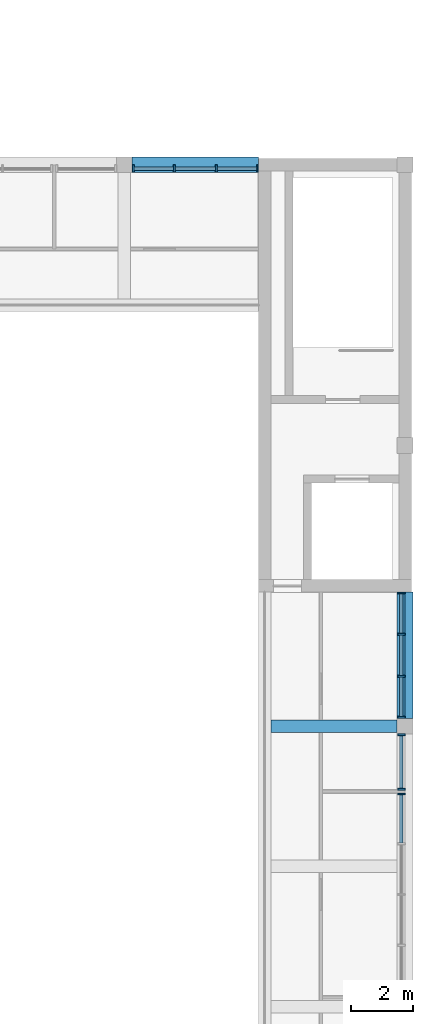
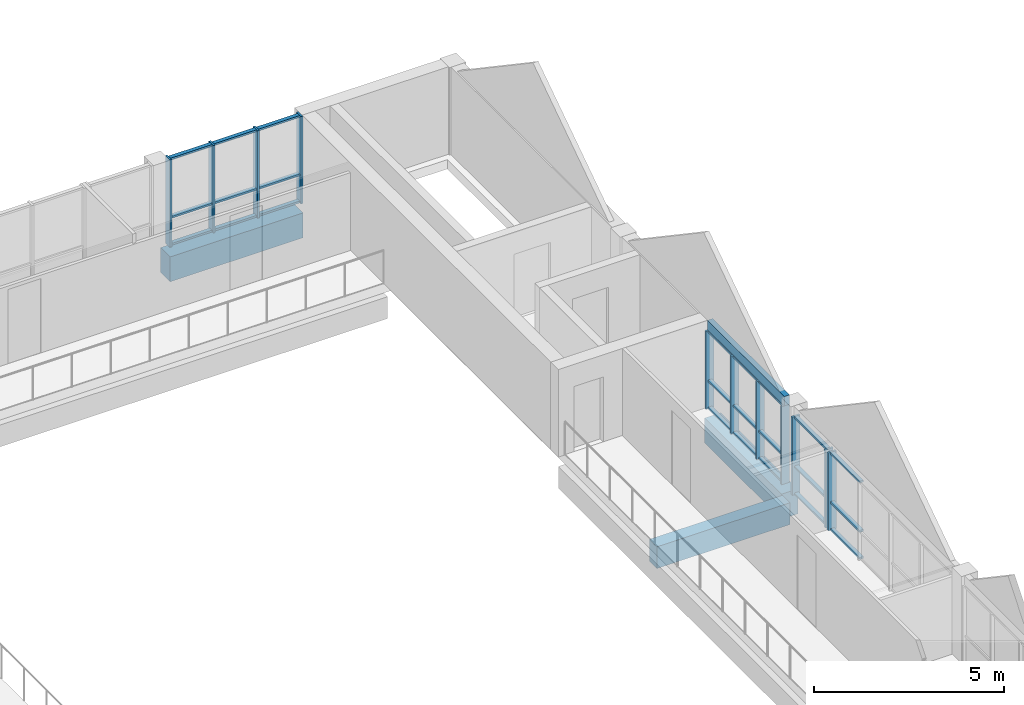
# One storey, part 8 of 50: 35 members, 4 beams, 4 elements without a shape of their own.
"""IFC4 building model written with IfcOpenShell, lengths in metres."""

from ifc_helpers import new_model, si_unit, direction, frame, origin, origin_2d, place, context, subcontext, project, spatial, rectangle, extrude, material, material_profile, profile_set, type_object, element, aggregate, save


model = new_model("IFC4")

# Units and contexts
model_context = context("Model", 3, precision=1e-05, world=origin(), true_north=direction((0.0, 1.0)))
body_context = subcontext(model_context, "Body", "Model", "MODEL_VIEW")
ifc_project = project(units=[si_unit("LENGTHUNIT", "METRE"), si_unit("AREAUNIT", "SQUARE_METRE"), si_unit("VOLUMEUNIT", "CUBIC_METRE"), si_unit("PLANEANGLEUNIT", "RADIAN"), si_unit("MASSUNIT", "GRAM", prefix="KILO")], contexts=[model_context])

# Site, building, storey
site_placement = place(None, origin())
site = spatial("IfcSite", under=ifc_project, at=site_placement, CompositionType="ELEMENT")
building_placement = place(site_placement, origin())
building = spatial("IfcBuilding", under=site, at=building_placement, Name="Merrow Basin Faculty of Sciences", CompositionType="ELEMENT")
storey_placement = place(building_placement, frame((0.0, 0.0, 18.0)))
storey = spatial("IfcBuildingStorey", under=building, at=storey_placement, Name="L04", CompositionType="ELEMENT", Elevation=18.0)

# Curtain wall, members
ifc_material_1 = material(Name="Aluminium alloy 6063", Category="aluminium")
curtain_wall_type = type_object("IfcCurtainWallType", Name="Atrium unitised curtain wall 240", PredefinedType="NOTDEFINED", material=ifc_material_1)
curtain_wall_1_placement = place(storey_placement, origin())
curtain_wall_1 = element("IfcCurtainWall", 1, at=curtain_wall_1_placement, inside=storey, type_object=curtain_wall_type, Name="N curtain wall L04 4", PredefinedType="NOTDEFINED")
ifc_material_2 = material(Name="Aluminium alloy 6063", Category="aluminium")
ifc_material_profile_1 = material_profile(ifc_material_2, rectangle(XDim=0.239990234375, YDim=0.06005859375, at=origin_2d()))
ifc_profile_set_1 = profile_set([ifc_material_profile_1], Name="Aluminium alloy 6063")
member_type_1 = type_object("IfcMemberType", Name="Aluminium mullion 60x240", PredefinedType="MULLION", material=ifc_profile_set_1)
member_1_placement = place(storey_placement, frame((63.280029296875, 35.8798828125, 0.0), z_axis=(0.0, 0.0, 1.0), x_axis=(0.0, 1.0, 0.0)))
member_1 = element("IfcMember", 2, at=member_1_placement, type_object=member_type_1, Name="CW5 mullion 1", PredefinedType="MULLION", context=body_context, shape_type="SweptSolid", body=[
    extrude(rectangle(XDim=0.239990234375, YDim=0.06005859375, at=origin_2d()), origin(), (0.0, 0.0, 1.0), 2.81298828125),
])
member_2_placement = place(storey_placement, frame((64.60009765625, 35.8798828125, 0.0), z_axis=(0.0, 0.0, 1.0), x_axis=(0.0, 1.0, 0.0)))
member_2 = element("IfcMember", 3, at=member_2_placement, type_object=member_type_1, Name="CW5 mullion 2", PredefinedType="MULLION", context=body_context, shape_type="SweptSolid", body=[
    extrude(rectangle(XDim=0.239990234375, YDim=0.06005859375, at=origin_2d()), origin(), (0.0, 0.0, 1.0), 2.81298828125),
])
member_3_placement = place(storey_placement, frame((65.949951171875, 35.8798828125, 0.0), z_axis=(0.0, 0.0, 1.0), x_axis=(0.0, 1.0, 0.0)))
member_3 = element("IfcMember", 4, at=member_3_placement, type_object=member_type_1, Name="CW5 mullion 3", PredefinedType="MULLION", context=body_context, shape_type="SweptSolid", body=[
    extrude(rectangle(XDim=0.239990234375, YDim=0.06005859375, at=origin_2d()), origin(), (0.0, 0.0, 1.0), 2.81298828125),
])
member_4_placement = place(storey_placement, frame((67.27001953125, 35.8798828125, 0.0), z_axis=(0.0, 0.0, 1.0), x_axis=(0.0, 1.0, 0.0)))
member_4 = element("IfcMember", 5, at=member_4_placement, type_object=member_type_1, Name="CW5 mullion 4", PredefinedType="MULLION", context=body_context, shape_type="SweptSolid", body=[
    extrude(rectangle(XDim=0.239990234375, YDim=0.06005859375, at=origin_2d()), origin(), (0.0, 0.0, 1.0), 2.81298828125),
])

# Curtain wall, member
curtain_wall_2_placement = place(storey_placement, origin())
curtain_wall_2 = element("IfcCurtainWall", 6, at=curtain_wall_2_placement, inside=storey, type_object=curtain_wall_type, Name="E curtain wall L04 3", PredefinedType="NOTDEFINED")
member_5_placement = place(storey_placement, frame((71.8798828125, 15.820068359375, 0.0), z_axis=(0.0, 0.0, 1.0), x_axis=(-1.0, 0.0, 0.0)))
member_5 = element("IfcMember", 7, at=member_5_placement, type_object=member_type_1, Name="CW5 mullion 5", PredefinedType="MULLION", context=body_context, shape_type="SweptSolid", body=[
    extrude(rectangle(XDim=0.239990234375, YDim=0.06005859375, at=origin_2d()), origin(), (0.0, 0.0, 1.0), 2.512939453125),
])

# Curtain wall, members
curtain_wall_3_placement = place(storey_placement, origin())
curtain_wall_3 = element("IfcCurtainWall", 8, at=curtain_wall_3_placement, inside=storey, type_object=curtain_wall_type, Name="E curtain wall L04 4", PredefinedType="NOTDEFINED")
member_6_placement = place(storey_placement, frame((71.8798828125, 15.97998046875, 0.0), z_axis=(0.0, 0.0, 1.0), x_axis=(-1.0, 0.0, 0.0)))
member_6 = element("IfcMember", 9, at=member_6_placement, type_object=member_type_1, Name="CW5 mullion 1", PredefinedType="MULLION", context=body_context, shape_type="SweptSolid", body=[
    extrude(rectangle(XDim=0.239990234375, YDim=0.06005859375, at=origin_2d()), origin(), (0.0, 0.0, 1.0), 2.512939453125),
])
member_7_placement = place(storey_placement, frame((71.8798828125, 17.719970703125, 0.0), z_axis=(0.0, 0.0, 1.0), x_axis=(-1.0, 0.0, 0.0)))
member_7 = element("IfcMember", 10, at=member_7_placement, type_object=member_type_1, Name="CW5 mullion 2", PredefinedType="MULLION", context=body_context, shape_type="SweptSolid", body=[
    extrude(rectangle(XDim=0.239990234375, YDim=0.06005859375, at=origin_2d()), origin(), (0.0, 0.0, 1.0), 2.512939453125),
])

curtain_wall_4_placement = place(storey_placement, origin())
curtain_wall_4 = element("IfcCurtainWall", 11, at=curtain_wall_4_placement, inside=storey, type_object=curtain_wall_type, Name="E curtain wall L04 5", PredefinedType="NOTDEFINED")
member_8_placement = place(storey_placement, frame((71.8798828125, 18.280029296875, 0.0), z_axis=(0.0, 0.0, 1.0), x_axis=(-1.0, 0.0, 0.0)))
member_8 = element("IfcMember", 12, at=member_8_placement, type_object=member_type_1, Name="CW5 mullion 1", PredefinedType="MULLION", context=body_context, shape_type="SweptSolid", body=[
    extrude(rectangle(XDim=0.239990234375, YDim=0.06005859375, at=origin_2d()), origin(), (0.0, 0.0, 1.0), 2.512939453125),
])
member_9_placement = place(storey_placement, frame((71.8798828125, 19.60009765625, 0.0), z_axis=(0.0, 0.0, 1.0), x_axis=(-1.0, 0.0, 0.0)))
member_9 = element("IfcMember", 13, at=member_9_placement, type_object=member_type_1, Name="CW5 mullion 2", PredefinedType="MULLION", context=body_context, shape_type="SweptSolid", body=[
    extrude(rectangle(XDim=0.239990234375, YDim=0.06005859375, at=origin_2d()), origin(), (0.0, 0.0, 1.0), 2.512939453125),
])
member_10_placement = place(storey_placement, frame((71.8798828125, 20.949951171875, 0.0), z_axis=(0.0, 0.0, 1.0), x_axis=(-1.0, 0.0, 0.0)))
member_10 = element("IfcMember", 14, at=member_10_placement, type_object=member_type_1, Name="CW5 mullion 3", PredefinedType="MULLION", context=body_context, shape_type="SweptSolid", body=[
    extrude(rectangle(XDim=0.239990234375, YDim=0.06005859375, at=origin_2d()), origin(), (0.0, 0.0, 1.0), 2.512939453125),
])
member_11_placement = place(storey_placement, frame((71.8798828125, 22.27001953125, 0.0), z_axis=(0.0, 0.0, 1.0), x_axis=(-1.0, 0.0, 0.0)))
member_11 = element("IfcMember", 15, at=member_11_placement, type_object=member_type_1, Name="CW5 mullion 4", PredefinedType="MULLION", context=body_context, shape_type="SweptSolid", body=[
    extrude(rectangle(XDim=0.239990234375, YDim=0.06005859375, at=origin_2d()), origin(), (0.0, 0.0, 1.0), 2.512939453125),
])

# Member
ifc_material_3 = material(Name="Aluminium alloy 6063", Category="aluminium")
ifc_material_profile_2 = material_profile(ifc_material_3, rectangle(XDim=0.1201171875, YDim=0.06005859375, at=origin_2d()))
ifc_profile_set_2 = profile_set([ifc_material_profile_2], Name="Aluminium alloy 6063")
member_type_2 = type_object("IfcMemberType", Name="Aluminium transom 60x120", PredefinedType="USERDEFINED", material=ifc_profile_set_2)
member_12_placement = place(storey_placement, frame((63.31005859375, 35.8798828125, 0.030029296875), z_axis=(1.0, 0.0, 0.0), x_axis=(0.0, 1.0, 0.0)))
member_12 = element("IfcMember", 16, at=member_12_placement, type_object=member_type_2, Name="CW5 transom 1.1", ObjectType="TRANSOM", PredefinedType="USERDEFINED", context=body_context, shape_type="SweptSolid", body=[
    extrude(rectangle(XDim=0.1201171875, YDim=0.06005859375, at=origin_2d()), origin(), (0.0, 0.0, 1.0), 1.260009765625),
])

member_13_placement = place(storey_placement, frame((63.31005859375, 35.8798828125, 0.89990234375), z_axis=(1.0, 0.0, 0.0), x_axis=(0.0, 1.0, 0.0)))
member_13 = element("IfcMember", 17, at=member_13_placement, type_object=member_type_2, Name="CW5 transom 1.2", ObjectType="TRANSOM", PredefinedType="USERDEFINED", context=body_context, shape_type="SweptSolid", body=[
    extrude(rectangle(XDim=0.1201171875, YDim=0.06005859375, at=origin_2d()), origin(), (0.0, 0.0, 1.0), 1.260009765625),
])

member_14_placement = place(storey_placement, frame((63.31005859375, 35.8798828125, 2.782958984375), z_axis=(1.0, 0.0, 0.0), x_axis=(0.0, 1.0, 0.0)))
member_14 = element("IfcMember", 18, at=member_14_placement, type_object=member_type_2, Name="CW5 transom 1.3", ObjectType="TRANSOM", PredefinedType="USERDEFINED", context=body_context, shape_type="SweptSolid", body=[
    extrude(rectangle(XDim=0.1201171875, YDim=0.06005859375, at=origin_2d()), origin(), (0.0, 0.0, 1.0), 1.260009765625),
])

member_15_placement = place(storey_placement, frame((64.6298828125, 35.8798828125, 0.030029296875), z_axis=(1.0, 0.0, 0.0), x_axis=(0.0, 1.0, 0.0)))
member_15 = element("IfcMember", 19, at=member_15_placement, type_object=member_type_2, Name="CW5 transom 2.1", ObjectType="TRANSOM", PredefinedType="USERDEFINED", context=body_context, shape_type="SweptSolid", body=[
    extrude(rectangle(XDim=0.1201171875, YDim=0.06005859375, at=origin_2d()), origin(), (0.0, 0.0, 1.0), 1.2900390625),
])

member_16_placement = place(storey_placement, frame((64.6298828125, 35.8798828125, 0.89990234375), z_axis=(1.0, 0.0, 0.0), x_axis=(0.0, 1.0, 0.0)))
member_16 = element("IfcMember", 20, at=member_16_placement, type_object=member_type_2, Name="CW5 transom 2.2", ObjectType="TRANSOM", PredefinedType="USERDEFINED", context=body_context, shape_type="SweptSolid", body=[
    extrude(rectangle(XDim=0.1201171875, YDim=0.06005859375, at=origin_2d()), origin(), (0.0, 0.0, 1.0), 1.2900390625),
])

member_17_placement = place(storey_placement, frame((64.6298828125, 35.8798828125, 2.782958984375), z_axis=(1.0, 0.0, 0.0), x_axis=(0.0, 1.0, 0.0)))
member_17 = element("IfcMember", 21, at=member_17_placement, type_object=member_type_2, Name="CW5 transom 2.3", ObjectType="TRANSOM", PredefinedType="USERDEFINED", context=body_context, shape_type="SweptSolid", body=[
    extrude(rectangle(XDim=0.1201171875, YDim=0.06005859375, at=origin_2d()), origin(), (0.0, 0.0, 1.0), 1.2900390625),
])

member_18_placement = place(storey_placement, frame((65.97998046875, 35.8798828125, 0.030029296875), z_axis=(1.0, 0.0, 0.0), x_axis=(0.0, 1.0, 0.0)))
member_18 = element("IfcMember", 22, at=member_18_placement, type_object=member_type_2, Name="CW5 transom 3.1", ObjectType="TRANSOM", PredefinedType="USERDEFINED", context=body_context, shape_type="SweptSolid", body=[
    extrude(rectangle(XDim=0.1201171875, YDim=0.06005859375, at=origin_2d()), origin(), (0.0, 0.0, 1.0), 1.260009765625),
])

member_19_placement = place(storey_placement, frame((65.97998046875, 35.8798828125, 0.89990234375), z_axis=(1.0, 0.0, 0.0), x_axis=(0.0, 1.0, 0.0)))
member_19 = element("IfcMember", 23, at=member_19_placement, type_object=member_type_2, Name="CW5 transom 3.2", ObjectType="TRANSOM", PredefinedType="USERDEFINED", context=body_context, shape_type="SweptSolid", body=[
    extrude(rectangle(XDim=0.1201171875, YDim=0.06005859375, at=origin_2d()), origin(), (0.0, 0.0, 1.0), 1.260009765625),
])

member_20_placement = place(storey_placement, frame((65.97998046875, 35.8798828125, 2.782958984375), z_axis=(1.0, 0.0, 0.0), x_axis=(0.0, 1.0, 0.0)))
member_20 = element("IfcMember", 24, at=member_20_placement, type_object=member_type_2, Name="CW5 transom 3.3", ObjectType="TRANSOM", PredefinedType="USERDEFINED", context=body_context, shape_type="SweptSolid", body=[
    extrude(rectangle(XDim=0.1201171875, YDim=0.06005859375, at=origin_2d()), origin(), (0.0, 0.0, 1.0), 1.260009765625),
])

aggregate(curtain_wall_1, [member_1, member_2, member_3, member_4, member_12, member_13, member_14, member_15, member_16, member_17, member_18, member_19, member_20])

member_21_placement = place(storey_placement, frame((71.8798828125, 14.2548828125, 0.030029296875), z_axis=(0.0, 1.0, 0.0), x_axis=(-1.0, 0.0, 0.0)))
member_21 = element("IfcMember", 25, at=member_21_placement, type_object=member_type_2, Name="CW5 transom 4.1", ObjectType="TRANSOM", PredefinedType="USERDEFINED", context=body_context, shape_type="SweptSolid", body=[
    extrude(rectangle(XDim=0.1201171875, YDim=0.06005859375, at=origin_2d()), origin(), (0.0, 0.0, 1.0), 1.53515625),
])

member_22_placement = place(storey_placement, frame((71.8798828125, 14.2548828125, 0.89990234375), z_axis=(0.0, 1.0, 0.0), x_axis=(-1.0, 0.0, 0.0)))
member_22 = element("IfcMember", 26, at=member_22_placement, type_object=member_type_2, Name="CW5 transom 4.2", ObjectType="TRANSOM", PredefinedType="USERDEFINED", context=body_context, shape_type="SweptSolid", body=[
    extrude(rectangle(XDim=0.1201171875, YDim=0.06005859375, at=origin_2d()), origin(), (0.0, 0.0, 1.0), 1.53515625),
])

member_23_placement = place(storey_placement, frame((71.8798828125, 14.2548828125, 2.48291015625), z_axis=(0.0, 1.0, 0.0), x_axis=(-1.0, 0.0, 0.0)))
member_23 = element("IfcMember", 27, at=member_23_placement, type_object=member_type_2, Name="CW5 transom 4.3", ObjectType="TRANSOM", PredefinedType="USERDEFINED", context=body_context, shape_type="SweptSolid", body=[
    extrude(rectangle(XDim=0.1201171875, YDim=0.06005859375, at=origin_2d()), origin(), (0.0, 0.0, 1.0), 1.53515625),
])

aggregate(curtain_wall_2, [member_5, member_21, member_22, member_23])

member_24_placement = place(storey_placement, frame((71.8798828125, 16.010009765625, 0.030029296875), z_axis=(0.0, 1.0, 0.0), x_axis=(-1.0, 0.0, 0.0)))
member_24 = element("IfcMember", 28, at=member_24_placement, type_object=member_type_2, Name="CW5 transom 1.1", ObjectType="TRANSOM", PredefinedType="USERDEFINED", context=body_context, shape_type="SweptSolid", body=[
    extrude(rectangle(XDim=0.1201171875, YDim=0.06005859375, at=origin_2d()), origin(), (0.0, 0.0, 1.0), 1.679931640625),
])

member_25_placement = place(storey_placement, frame((71.8798828125, 16.010009765625, 0.89990234375), z_axis=(0.0, 1.0, 0.0), x_axis=(-1.0, 0.0, 0.0)))
member_25 = element("IfcMember", 29, at=member_25_placement, type_object=member_type_2, Name="CW5 transom 1.2", ObjectType="TRANSOM", PredefinedType="USERDEFINED", context=body_context, shape_type="SweptSolid", body=[
    extrude(rectangle(XDim=0.1201171875, YDim=0.06005859375, at=origin_2d()), origin(), (0.0, 0.0, 1.0), 1.679931640625),
])

member_26_placement = place(storey_placement, frame((71.8798828125, 16.010009765625, 2.48291015625), z_axis=(0.0, 1.0, 0.0), x_axis=(-1.0, 0.0, 0.0)))
member_26 = element("IfcMember", 30, at=member_26_placement, type_object=member_type_2, Name="CW5 transom 1.3", ObjectType="TRANSOM", PredefinedType="USERDEFINED", context=body_context, shape_type="SweptSolid", body=[
    extrude(rectangle(XDim=0.1201171875, YDim=0.06005859375, at=origin_2d()), origin(), (0.0, 0.0, 1.0), 1.679931640625),
])

aggregate(curtain_wall_3, [member_6, member_7, member_24, member_25, member_26])

member_27_placement = place(storey_placement, frame((71.8798828125, 18.31005859375, 0.030029296875), z_axis=(0.0, 1.0, 0.0), x_axis=(-1.0, 0.0, 0.0)))
member_27 = element("IfcMember", 31, at=member_27_placement, type_object=member_type_2, Name="CW5 transom 1.1", ObjectType="TRANSOM", PredefinedType="USERDEFINED", context=body_context, shape_type="SweptSolid", body=[
    extrude(rectangle(XDim=0.1201171875, YDim=0.06005859375, at=origin_2d()), origin(), (0.0, 0.0, 1.0), 1.260009765625),
])

member_28_placement = place(storey_placement, frame((71.8798828125, 18.31005859375, 0.89990234375), z_axis=(0.0, 1.0, 0.0), x_axis=(-1.0, 0.0, 0.0)))
member_28 = element("IfcMember", 32, at=member_28_placement, type_object=member_type_2, Name="CW5 transom 1.2", ObjectType="TRANSOM", PredefinedType="USERDEFINED", context=body_context, shape_type="SweptSolid", body=[
    extrude(rectangle(XDim=0.1201171875, YDim=0.06005859375, at=origin_2d()), origin(), (0.0, 0.0, 1.0), 1.260009765625),
])

member_29_placement = place(storey_placement, frame((71.8798828125, 18.31005859375, 2.48291015625), z_axis=(0.0, 1.0, 0.0), x_axis=(-1.0, 0.0, 0.0)))
member_29 = element("IfcMember", 33, at=member_29_placement, type_object=member_type_2, Name="CW5 transom 1.3", ObjectType="TRANSOM", PredefinedType="USERDEFINED", context=body_context, shape_type="SweptSolid", body=[
    extrude(rectangle(XDim=0.1201171875, YDim=0.06005859375, at=origin_2d()), origin(), (0.0, 0.0, 1.0), 1.260009765625),
])

member_30_placement = place(storey_placement, frame((71.8798828125, 19.6298828125, 0.030029296875), z_axis=(0.0, 1.0, 0.0), x_axis=(-1.0, 0.0, 0.0)))
member_30 = element("IfcMember", 34, at=member_30_placement, type_object=member_type_2, Name="CW5 transom 2.1", ObjectType="TRANSOM", PredefinedType="USERDEFINED", context=body_context, shape_type="SweptSolid", body=[
    extrude(rectangle(XDim=0.1201171875, YDim=0.06005859375, at=origin_2d()), origin(), (0.0, 0.0, 1.0), 1.2900390625),
])

member_31_placement = place(storey_placement, frame((71.8798828125, 19.6298828125, 0.89990234375), z_axis=(0.0, 1.0, 0.0), x_axis=(-1.0, 0.0, 0.0)))
member_31 = element("IfcMember", 35, at=member_31_placement, type_object=member_type_2, Name="CW5 transom 2.2", ObjectType="TRANSOM", PredefinedType="USERDEFINED", context=body_context, shape_type="SweptSolid", body=[
    extrude(rectangle(XDim=0.1201171875, YDim=0.06005859375, at=origin_2d()), origin(), (0.0, 0.0, 1.0), 1.2900390625),
])

member_32_placement = place(storey_placement, frame((71.8798828125, 19.6298828125, 2.48291015625), z_axis=(0.0, 1.0, 0.0), x_axis=(-1.0, 0.0, 0.0)))
member_32 = element("IfcMember", 36, at=member_32_placement, type_object=member_type_2, Name="CW5 transom 2.3", ObjectType="TRANSOM", PredefinedType="USERDEFINED", context=body_context, shape_type="SweptSolid", body=[
    extrude(rectangle(XDim=0.1201171875, YDim=0.06005859375, at=origin_2d()), origin(), (0.0, 0.0, 1.0), 1.2900390625),
])

member_33_placement = place(storey_placement, frame((71.8798828125, 20.97998046875, 0.030029296875), z_axis=(0.0, 1.0, 0.0), x_axis=(-1.0, 0.0, 0.0)))
member_33 = element("IfcMember", 37, at=member_33_placement, type_object=member_type_2, Name="CW5 transom 3.1", ObjectType="TRANSOM", PredefinedType="USERDEFINED", context=body_context, shape_type="SweptSolid", body=[
    extrude(rectangle(XDim=0.1201171875, YDim=0.06005859375, at=origin_2d()), origin(), (0.0, 0.0, 1.0), 1.260009765625),
])

member_34_placement = place(storey_placement, frame((71.8798828125, 20.97998046875, 0.89990234375), z_axis=(0.0, 1.0, 0.0), x_axis=(-1.0, 0.0, 0.0)))
member_34 = element("IfcMember", 38, at=member_34_placement, type_object=member_type_2, Name="CW5 transom 3.2", ObjectType="TRANSOM", PredefinedType="USERDEFINED", context=body_context, shape_type="SweptSolid", body=[
    extrude(rectangle(XDim=0.1201171875, YDim=0.06005859375, at=origin_2d()), origin(), (0.0, 0.0, 1.0), 1.260009765625),
])

member_35_placement = place(storey_placement, frame((71.8798828125, 20.97998046875, 2.48291015625), z_axis=(0.0, 1.0, 0.0), x_axis=(-1.0, 0.0, 0.0)))
member_35 = element("IfcMember", 39, at=member_35_placement, type_object=member_type_2, Name="CW5 transom 3.3", ObjectType="TRANSOM", PredefinedType="USERDEFINED", context=body_context, shape_type="SweptSolid", body=[
    extrude(rectangle(XDim=0.1201171875, YDim=0.06005859375, at=origin_2d()), origin(), (0.0, 0.0, 1.0), 1.260009765625),
])

aggregate(curtain_wall_4, [member_8, member_9, member_10, member_11, member_27, member_28, member_29, member_30, member_31, member_32, member_33, member_34, member_35])

# Beams
ifc_material_4 = material(Name="Concrete C40/50", Category="concrete")
ifc_material_profile_3 = material_profile(ifc_material_4, rectangle(XDim=0.5, YDim=0.800048828125, at=origin_2d()))
ifc_profile_set_3 = profile_set([ifc_material_profile_3], Name="Concrete C40/50")
beam_type_1 = type_object("IfcBeamType", Name="Beam RC500x800 C40/50", PredefinedType="BEAM", material=ifc_profile_set_3)
for number, where, z_axis, x_axis, name in (
    (40, (63.25, 36.0, -0.699951171875), (1.0, 0.0, 0.0), (0.0, 1.0, 0.0), "B4 L04 006"),
    (41, (72.0, 18.25, -0.699951171875), (0.0, 1.0, 0.0), (-1.0, 0.0, 0.0), "B4 L04 012"),
):
    element("IfcBeam", number, at=place(storey_placement, frame(where, z_axis=z_axis, x_axis=x_axis)), inside=storey, type_object=beam_type_1, Name=name, PredefinedType="BEAM", context=body_context, shape_type="SweptSolid", body=[
        extrude(rectangle(XDim=0.5, YDim=0.800048828125, at=origin_2d()), origin(), (0.0, 0.0, 1.0), 4.050048828125),
    ])
ifc_material_5 = material(Name="Concrete C40/50", Category="concrete")
ifc_material_profile_4 = material_profile(ifc_material_5, rectangle(XDim=0.39990234375, YDim=0.699951171875, at=origin_2d()))
ifc_profile_set_4 = profile_set([ifc_material_profile_4], Name="Concrete C40/50")
beam_type_2 = type_object("IfcBeamType", Name="Gallery edge beam RC400x700 C40/50", PredefinedType="BEAM", material=ifc_profile_set_4)
beam_1_placement = place(storey_placement, frame((67.699951171875, 18.0, -0.64990234375), z_axis=(1.0, 0.0, 0.0), x_axis=(0.0, 1.0, 0.0)))
element("IfcBeam", 42, at=beam_1_placement, inside=storey, type_object=beam_type_2, Name="GB1 L04 029", PredefinedType="BEAM", context=body_context, shape_type="SweptSolid", body=[
    extrude(rectangle(XDim=0.39990234375, YDim=0.699951171875, at=origin_2d()), origin(), (0.0, 0.0, 1.0), 4.050048828125),
])
ifc_material_6 = material(Name="Concrete C40/50", Category="concrete")
ifc_material_profile_5 = material_profile(ifc_material_6, rectangle(XDim=0.159912109375, YDim=0.300048828125, at=origin_2d()))
ifc_profile_set_5 = profile_set([ifc_material_profile_5], Name="Concrete C40/50")
beam_type_3 = type_object("IfcBeamType", Name="Precast sill beam 160 x 300 Concrete C40/50", PredefinedType="BEAM", material=ifc_profile_set_5)
beam_2_placement = place(storey_placement, frame((71.919921875, 18.25, 2.6630859375), z_axis=(0.0, 1.0, 0.0), x_axis=(-1.0, 0.0, 0.0)))
element("IfcBeam", 43, at=beam_2_placement, inside=storey, type_object=beam_type_3, Name="East frame infill sill beam", PredefinedType="BEAM", context=body_context, shape_type="SweptSolid", body=[
    extrude(rectangle(XDim=0.159912109375, YDim=0.300048828125, at=origin_2d()), origin(), (0.0, 0.0, 1.0), 4.050048828125),
])

save(model, "model.ifc")
